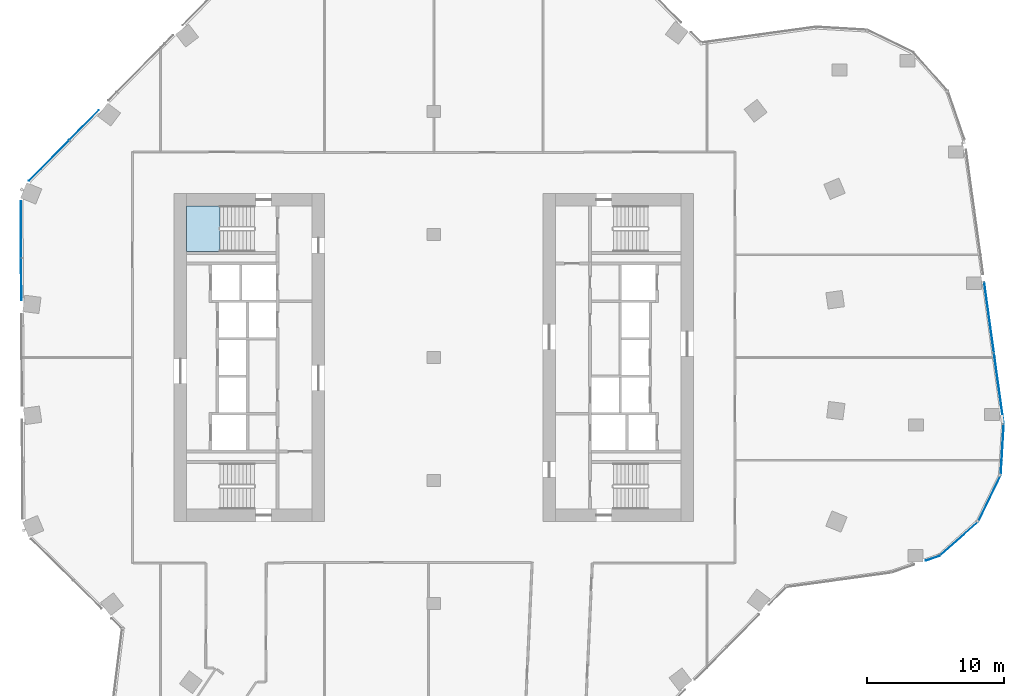
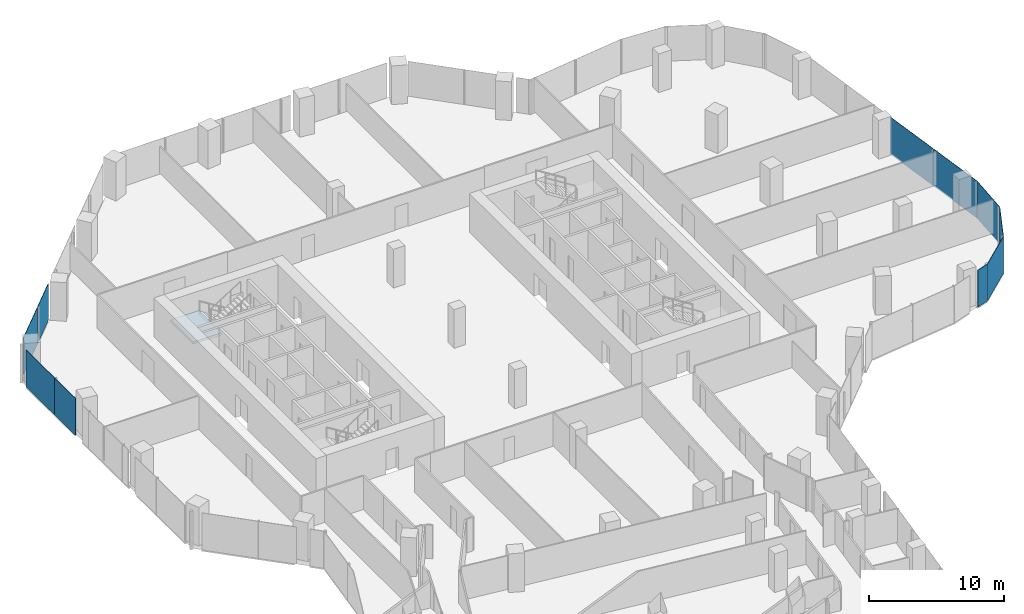
# One storey, part 16 of 27: 10 plates, 1 slab, 8 elements without a shape of their own.
"""IFC4 building model written with IfcOpenShell, lengths in metres."""

from ifc_helpers import new_model, si_unit, direction, frame, origin, origin_2d, place, context, subcontext, project, spatial, polyline, rectangle, outline, extrude, material, layer, layer_set, type_object, element, aggregate, save


model = new_model("IFC4")

# Units and contexts
model_context = context("Model", 3, precision=1e-05, world=origin(), true_north=direction((0.0, 1.0)))
body_context = subcontext(model_context, "Body", "Model", "MODEL_VIEW")
ifc_project = project(units=[si_unit("LENGTHUNIT", "METRE"), si_unit("AREAUNIT", "SQUARE_METRE"), si_unit("VOLUMEUNIT", "CUBIC_METRE"), si_unit("PLANEANGLEUNIT", "RADIAN"), si_unit("MASSUNIT", "GRAM", prefix="KILO")], contexts=[model_context])

# Site, building, storey
site_placement = place(None, origin())
site = spatial("IfcSite", under=ifc_project, at=site_placement, CompositionType="ELEMENT")
building_placement = place(site_placement, origin())
building = spatial("IfcBuilding", under=site, at=building_placement, Name="Orlundy Tower", CompositionType="ELEMENT")
storey_placement = place(building_placement, frame((0.0, 0.0, 199.10009765625)))
storey = spatial("IfcBuildingStorey", under=building, at=storey_placement, Name="L52", CompositionType="ELEMENT", Elevation=199.10009765625)

# Curtain wall, plates
ifc_material_1 = material(Name="Aluminium bronze anodised", Category="aluminium")
curtain_wall_type = type_object("IfcCurtainWallType", Name="CW1 wall", PredefinedType="NOTDEFINED", material=ifc_material_1)
curtain_wall_1_placement = place(storey_placement, origin())
curtain_wall_1 = element("IfcCurtainWall", 1, at=curtain_wall_1_placement, inside=storey, type_object=curtain_wall_type, Name="CW1 run 02", PredefinedType="NOTDEFINED")
ifc_material_2 = material(Name="Tinted glass", Category="glass")
ifc_layer_1 = layer(ifc_material_2, 0.031982421875)
ifc_layer_set_1 = layer_set([ifc_layer_1], Name="CW1 glass panel 32")
plate_type = type_object("IfcPlateType", Name="CW1 glass panel 32", PredefinedType="CURTAIN_PANEL", material=ifc_layer_set_1)
plate_1_placement = place(storey_placement, frame((-30.197998046875, 5.7265625, -0.300048828125), z_axis=(0.0, 0.0, 1.0), x_axis=(-0.005834206419, 0.999982980873, 0.0)))
plate_1 = element("IfcPlate", 2, at=plate_1_placement, type_object=plate_type, Name="CW1 panel", PredefinedType="CURTAIN_PANEL", context=body_context, shape_type="SweptSolid", body=[
    extrude(rectangle(XDim=3.0576171875, YDim=0.031982421875, at=origin_2d()), origin(), (0.0, 0.0, 1.0), 3.35009765625),
])
plate_2_placement = place(storey_placement, frame((-30.21923828125, 9.37939453125, -0.300048828125), z_axis=(0.0, 0.0, 1.0), x_axis=(-0.005834206419, 0.999982980873, 0.0)))
plate_2 = element("IfcPlate", 3, at=plate_2_placement, type_object=plate_type, Name="CW1 panel", PredefinedType="CURTAIN_PANEL", context=body_context, shape_type="SweptSolid", body=[
    extrude(rectangle(XDim=4.14794921875, YDim=0.031982421875, at=origin_2d()), origin(), (0.0, 0.0, 1.0), 3.35009765625),
])
aggregate(curtain_wall_1, [plate_1, plate_2])

curtain_wall_2_placement = place(storey_placement, origin())
curtain_wall_2 = element("IfcCurtainWall", 4, at=curtain_wall_2_placement, inside=storey, type_object=curtain_wall_type, Name="CW1 run 03", PredefinedType="NOTDEFINED")
plate_3_placement = place(storey_placement, frame((-28.169677734375, 14.40966796875, -0.300048828125), z_axis=(0.0, 0.0, 1.0), x_axis=(0.702990637629, 0.711199102506, 0.0)))
plate_3 = element("IfcPlate", 5, at=plate_3_placement, type_object=plate_type, Name="CW1 panel", PredefinedType="CURTAIN_PANEL", context=body_context, shape_type="SweptSolid", body=[
    extrude(rectangle(XDim=4.147216796875, YDim=0.031982421875, at=origin_2d()), origin(), (0.0, 0.0, 1.0), 3.35009765625),
])
plate_4_placement = place(storey_placement, frame((-25.602294921875, 17.007080078125, -0.300048828125), z_axis=(0.0, 0.0, 1.0), x_axis=(0.702990637629, 0.711199102506, 0.0)))
plate_4 = element("IfcPlate", 6, at=plate_4_placement, type_object=plate_type, Name="CW1 panel", PredefinedType="CURTAIN_PANEL", context=body_context, shape_type="SweptSolid", body=[
    extrude(rectangle(XDim=3.05712890625, YDim=0.031982421875, at=origin_2d()), origin(), (0.0, 0.0, 1.0), 3.35009765625),
])
aggregate(curtain_wall_2, [plate_3, plate_4])

curtain_wall_3_placement = place(storey_placement, origin())
curtain_wall_3 = element("IfcCurtainWall", 7, at=curtain_wall_3_placement, inside=storey, type_object=curtain_wall_type, Name="CW1 run 011", PredefinedType="NOTDEFINED")
plate_5_placement = place(storey_placement, frame((40.642333984375, 2.94189453125, -0.300048828125), z_axis=(0.0, 0.0, 1.0), x_axis=(0.13628610677, -0.990669519619, 0.0)))
plate_5 = element("IfcPlate", 8, at=plate_5_placement, type_object=plate_type, Name="CW1 panel", PredefinedType="CURTAIN_PANEL", context=body_context, shape_type="SweptSolid", body=[
    extrude(rectangle(XDim=5.199951171875, YDim=0.031982421875, at=origin_2d()), origin(), (0.0, 0.0, 1.0), 3.35009765625),
])
plate_6_placement = place(storey_placement, frame((41.35888671875, -2.26708984375, -0.300048828125), z_axis=(0.0, 0.0, 1.0), x_axis=(0.13628610677, -0.990669519619, 0.0)))
plate_6 = element("IfcPlate", 9, at=plate_6_placement, type_object=plate_type, Name="CW1 panel", PredefinedType="CURTAIN_PANEL", context=body_context, shape_type="SweptSolid", body=[
    extrude(rectangle(XDim=5.216064453125, YDim=0.031982421875, at=origin_2d()), origin(), (0.0, 0.0, 1.0), 3.35009765625),
])
aggregate(curtain_wall_3, [plate_5, plate_6])

# Curtain wall, plate
curtain_wall_4_placement = place(storey_placement, origin())
curtain_wall_4 = element("IfcCurtainWall", 10, at=curtain_wall_4_placement, inside=storey, type_object=curtain_wall_type, Name="CW1 run 012", PredefinedType="NOTDEFINED")
plate_7_placement = place(storey_placement, frame((41.60498046875, -6.762451171875, -0.300048828125), z_axis=(0.0, 0.0, 1.0), x_axis=(-0.059623466872, -0.998220938569, 0.0)))
plate_7 = element("IfcPlate", 11, at=plate_7_placement, type_object=plate_type, Name="CW1 panel", PredefinedType="CURTAIN_PANEL", context=body_context, shape_type="SweptSolid", body=[
    extrude(rectangle(XDim=3.730224609375, YDim=0.031982421875, at=origin_2d()), origin(), (0.0, 0.0, 1.0), 3.35009765625),
])
aggregate(curtain_wall_4, [plate_7])

curtain_wall_5_placement = place(storey_placement, origin())
curtain_wall_5 = element("IfcCurtainWall", 12, at=curtain_wall_5_placement, inside=storey, type_object=curtain_wall_type, Name="CW1 run 013", PredefinedType="NOTDEFINED")
plate_8_placement = place(storey_placement, frame((40.66943359375, -10.320556640625, -0.300048828125), z_axis=(0.0, 0.0, 1.0), x_axis=(-0.437041163358, -0.899441505342, 0.0)))
plate_8 = element("IfcPlate", 13, at=plate_8_placement, type_object=plate_type, Name="CW1 panel", PredefinedType="CURTAIN_PANEL", context=body_context, shape_type="SweptSolid", body=[
    extrude(rectangle(XDim=3.77197265625, YDim=0.031982421875, at=origin_2d()), origin(), (0.0, 0.0, 1.0), 3.35009765625),
])
aggregate(curtain_wall_5, [plate_8])

curtain_wall_6_placement = place(storey_placement, origin())
curtain_wall_6 = element("IfcCurtainWall", 14, at=curtain_wall_6_placement, inside=storey, type_object=curtain_wall_type, Name="CW1 run 014", PredefinedType="NOTDEFINED")
plate_9_placement = place(storey_placement, frame((38.434814453125, -13.2685546875, -0.300048828125), z_axis=(0.0, 0.0, 1.0), x_axis=(-0.747944996694, -0.663760711342, 0.0)))
plate_9 = element("IfcPlate", 15, at=plate_9_placement, type_object=plate_type, Name="CW1 panel", PredefinedType="CURTAIN_PANEL", context=body_context, shape_type="SweptSolid", body=[
    extrude(rectangle(XDim=3.771484375, YDim=0.031982421875, at=origin_2d()), origin(), (0.0, 0.0, 1.0), 3.35009765625),
])
aggregate(curtain_wall_6, [plate_9])

curtain_wall_7_placement = place(storey_placement, origin())
curtain_wall_7 = element("IfcCurtainWall", 16, at=curtain_wall_7_placement, inside=storey, type_object=curtain_wall_type, Name="CW1 run 015", PredefinedType="NOTDEFINED")
plate_10_placement = place(storey_placement, frame((36.51611328125, -14.696044921875, -0.300048828125), z_axis=(0.0, 0.0, 1.0), x_axis=(-0.945034174317, -0.32697157273, 0.0)))
plate_10 = element("IfcPlate", 17, at=plate_10_placement, type_object=plate_type, Name="CW1 panel", PredefinedType="CURTAIN_PANEL", context=body_context, shape_type="SweptSolid", body=[
    extrude(rectangle(XDim=1.07568359375, YDim=0.031982421875, at=origin_2d()), origin(), (0.0, 0.0, 1.0), 3.35009765625),
])
aggregate(curtain_wall_7, [plate_10])

# Stair, slab
ifc_material_3 = material(Name="Concrete C50/60", Category="concrete")
stair_type = type_object("IfcStairType", Name="Exit Stair 20 risers", PredefinedType="HALF_TURN_STAIR", material=ifc_material_3)
stair_placement = place(storey_placement, origin())
stair = element("IfcStair", 18, at=stair_placement, inside=storey, type_object=stair_type, Name="L52 Exit Stair ST-W1", PredefinedType="HALF_TURN_STAIR")
ifc_material_4 = material(Name="Concrete C50/60", Category="concrete")
ifc_layer_2 = layer(ifc_material_4, 0.199951171875)
ifc_layer_set_2 = layer_set([ifc_layer_2], Name="Exit Stair Landing")
slab_type = type_object("IfcSlabType", Name="Exit Stair Landing", PredefinedType="LANDING", material=ifc_layer_set_2)
slab_placement = place(storey_placement, frame((0.0, 0.0, 1.5498046875)))
slab = element("IfcSlab", 19, at=slab_placement, type_object=slab_type, Name="ST-W1 landing 1", PredefinedType="LANDING", context=body_context, shape_type="SweptSolid", body=[
    extrude(outline(polyline([(-15.659912109375, 11.10009765625), (-18.10009765625, 11.10009765625), (-18.10009765625, 7.75), (-15.659912109375, 7.75), (-15.659912109375, 11.10009765625)])), origin(), (0.0, 0.0, 1.0), 0.2001953125),
])
aggregate(stair, [slab])

save(model, "model.ifc")
